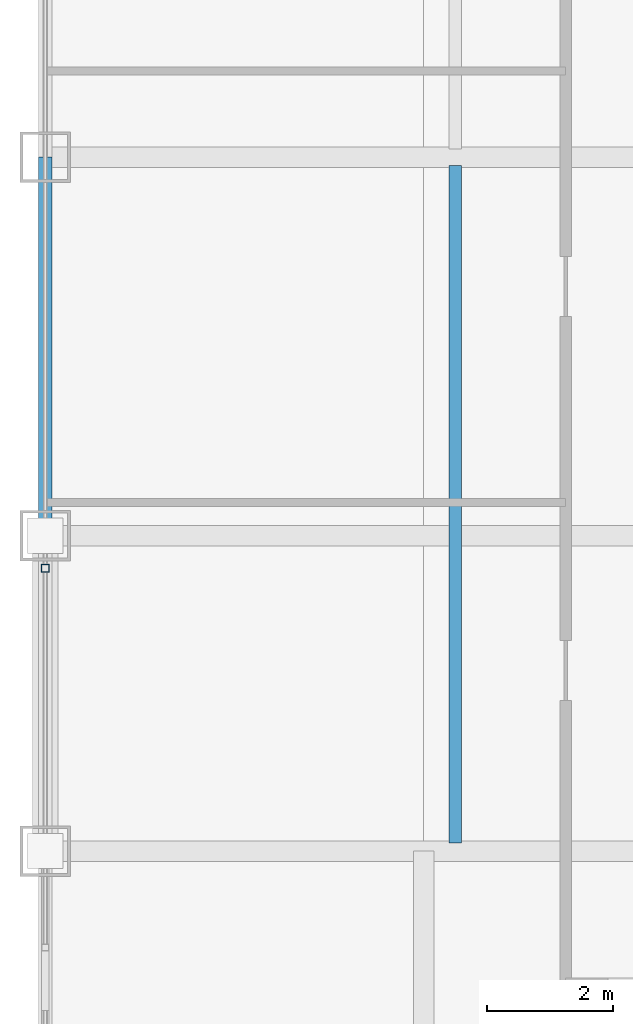
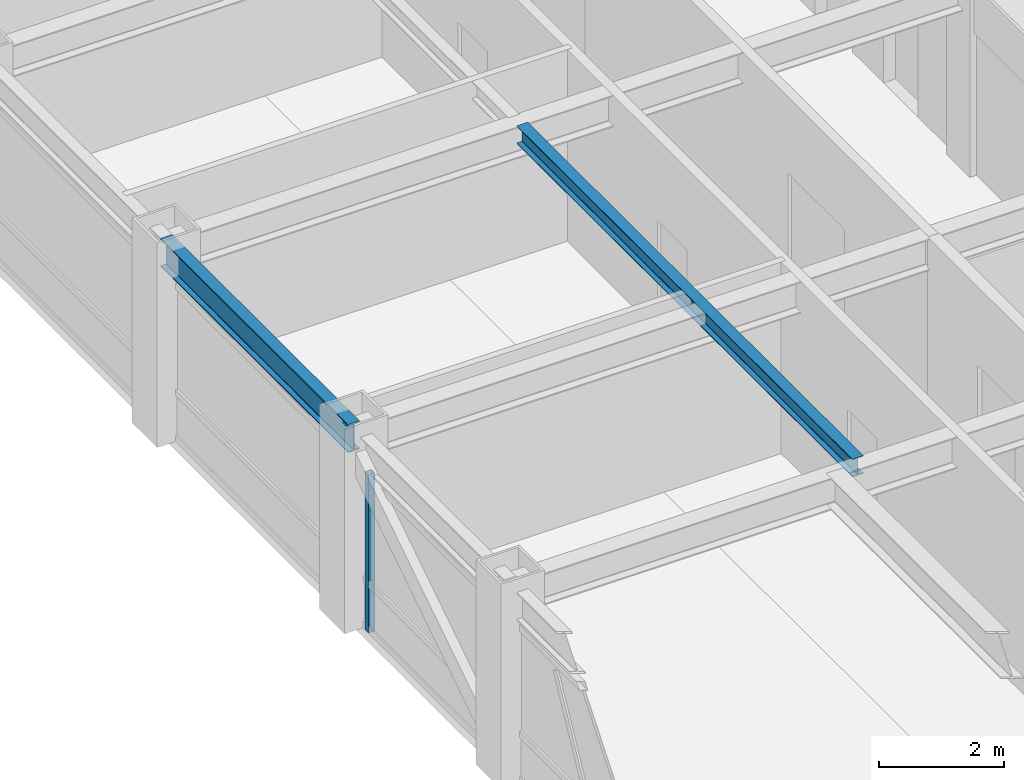
# One storey, part 7 of 29: 2 beams, 1 member, 1 element without a shape of its own.
"""IFC4 building model written with IfcOpenShell, lengths in metres."""

import ifcopenshell
import ifcopenshell.guid

model = None  # the IFC model being written
_history = None  # IfcOwnerHistory: only IFC2X3 demands one
_inside = {}  # id of a spatial element -> (the spatial element, [elements in it])
_under = {}  # id of a project, library or spatial element -> (it, [spatial elements below it])
_declared = {}  # id of a project -> (the project, [libraries it declares])
_typed = {}  # id of a type object -> (the type object, [elements of that type])
_made_of = {}  # id of a material, layer set ... -> (it, [elements and type objects made of it])


def new_model(schema):
    """Start an empty IFC model of exactly this schema.

    Asked for "IFC4X3", IfcOpenShell would pick the latest addendum, in which some entities
    have other attributes; the version numbers below select the first issue.
    IFC2X3 requires an IfcOwnerHistory on every rooted entity: one is made here for all.
    """
    global model, _history
    if schema == "IFC4X3":
        model = ifcopenshell.file(schema_version=(4, 3, 0, 0))
    else:
        model = ifcopenshell.file(schema=schema)
    _inside.clear()
    _under.clear()
    _declared.clear()
    _typed.clear()
    _made_of.clear()
    _history = None
    if model.schema == "IFC2X3":
        org = make("IfcOrganization", Name="unknown")
        user = make(
            "IfcPersonAndOrganization",
            ThePerson=make("IfcPerson", FamilyName="unknown"),
            TheOrganization=org,
        )
        app = make(
            "IfcApplication",
            ApplicationDeveloper=org,
            Version="unknown",
            ApplicationFullName="unknown",
            ApplicationIdentifier="unknown",
        )
        _history = make(
            "IfcOwnerHistory",
            OwningUser=user,
            OwningApplication=app,
            ChangeAction="ADDED",
            CreationDate=0,
        )
    return model


def make(cls, **values):
    """One entity of the class cls with the attributes given. An attribute that is None is left unset."""
    return model.create_entity(
        cls, **{name: value for name, value in values.items() if value is not None}
    )


def rooted(cls, **values):
    """An entity with a GlobalId (a new one), such as an element, a storey or a relation."""
    return make(cls, GlobalId=ifcopenshell.guid.new(), OwnerHistory=_history, **values)


def si_unit(unit_type, name, prefix=None):
    """IfcSIUnit, for example si_unit("LENGTHUNIT", "METRE", prefix="MILLI")."""
    return make("IfcSIUnit", UnitType=unit_type, Prefix=prefix, Name=name)


def assignment(units):
    """IfcUnitAssignment: the units of a project."""
    return None if units is None else make("IfcUnitAssignment", Units=units)


def point(xyz):
    """IfcCartesianPoint."""
    return None if xyz is None else make("IfcCartesianPoint", Coordinates=xyz)


def direction(xyz):
    """IfcDirection."""
    return None if xyz is None else make("IfcDirection", DirectionRatios=xyz)


def frame(location, z_axis=None, x_axis=None):
    """IfcAxis2Placement3D, a coordinate frame: its origin and axes. An axis left out is left unset."""
    return make(
        "IfcAxis2Placement3D",
        Location=point(location),
        Axis=direction(z_axis),
        RefDirection=direction(x_axis),
    )


def frame_2d(location, x_axis=None):
    """IfcAxis2Placement2D, a coordinate frame in the plane: its origin and x axis."""
    return make(
        "IfcAxis2Placement2D", Location=point(location), RefDirection=direction(x_axis)
    )


def origin():
    """The frame at (0, 0, 0) with its axes left unset."""
    return frame((0.0, 0.0, 0.0))


def origin_2d():
    """The frame at (0, 0) in the plane with its x axis left unset."""
    return frame_2d((0.0, 0.0))


def place(relative_to, where):
    """IfcLocalPlacement: puts the frame where relative to a parent placement (None: the world)."""
    return make(
        "IfcLocalPlacement", PlacementRelTo=relative_to, RelativePlacement=where
    )


def context(
    kind, dimensions, precision=None, world=None, true_north=None, identifier=None
):
    """IfcGeometricRepresentationContext, for example the 3D "Model" context."""
    return make(
        "IfcGeometricRepresentationContext",
        ContextIdentifier=identifier,
        ContextType=kind,
        CoordinateSpaceDimension=dimensions,
        Precision=precision,
        WorldCoordinateSystem=world,
        TrueNorth=true_north,
    )


def subcontext(parent, identifier, kind, view, scale=None):
    """IfcGeometricRepresentationSubContext, for example "Body" below "Model"."""
    return make(
        "IfcGeometricRepresentationSubContext",
        ContextIdentifier=identifier,
        ContextType=kind,
        ParentContext=parent,
        TargetScale=scale,
        TargetView=view,
    )


def project(units=None, contexts=None):
    """IfcProject with its units and contexts."""
    return rooted(
        "IfcProject",
        Name="project",
        RepresentationContexts=contexts,
        UnitsInContext=assignment(units),
    )


def spatial(cls, under=None, at=None, **own):
    """A site, building, storey or space (cls), placed at a placement, below another one or the project."""
    s = rooted(cls, ObjectPlacement=at, **own)
    if under is not None:
        _under.setdefault(under.id(), (under, []))[1].append(s)
    return s


def profile(cls, at=None, kind="AREA", **sizes):
    """A parametric profile (cls). Its sizes go by their IFC names, for example OverallWidth=200.0."""
    return make(cls, ProfileType=kind, Position=at, **sizes)


def hollow_rectangle(**sizes):
    """IfcRectangleHollowProfileDef."""
    return profile("IfcRectangleHollowProfileDef", **sizes)


def i_section(**sizes):
    """IfcIShapeProfileDef."""
    return profile("IfcIShapeProfileDef", **sizes)


def extrude(swept, where, along, depth):
    """IfcExtrudedAreaSolid: the profile swept, set in the frame where, extruded along a direction by depth."""
    return make(
        "IfcExtrudedAreaSolid",
        SweptArea=swept,
        Position=where,
        ExtrudedDirection=direction(along),
        Depth=depth,
    )


def shape(context_of_items, identifier, shape_type, items):
    """IfcShapeRepresentation: the items that make up one representation, for example the "Body"."""
    return make(
        "IfcShapeRepresentation",
        ContextOfItems=context_of_items,
        RepresentationIdentifier=identifier,
        RepresentationType=shape_type,
        Items=items,
    )


def source(mapping_origin, context_of_items, identifier, shape_type, items):
    """IfcRepresentationMap: a shape defined once, which mapped items show again and again."""
    return make(
        "IfcRepresentationMap",
        MappingOrigin=mapping_origin,
        MappedRepresentation=shape(context_of_items, identifier, shape_type, items),
    )


def transform(
    local_origin,
    x_axis=None,
    y_axis=None,
    z_axis=None,
    scale=None,
    scale2=None,
    scale3=None,
    uniform=True,
):
    """IfcCartesianTransformationOperator3D, or its non-uniform kind. x_axis, y_axis, z_axis: its Axis1, 2, 3."""
    if uniform:
        return make(
            "IfcCartesianTransformationOperator3D",
            Axis1=direction(x_axis),
            Axis2=direction(y_axis),
            LocalOrigin=point(local_origin),
            Scale=scale,
            Axis3=direction(z_axis),
        )
    return make(
        "IfcCartesianTransformationOperator3DnonUniform",
        Axis1=direction(x_axis),
        Axis2=direction(y_axis),
        LocalOrigin=point(local_origin),
        Scale=scale,
        Axis3=direction(z_axis),
        Scale2=scale2,
        Scale3=scale3,
    )


def mapped(mapping_source, mapping_target):
    """IfcMappedItem: shows the shape of a source again, moved by a transform."""
    return make(
        "IfcMappedItem", MappingSource=mapping_source, MappingTarget=mapping_target
    )


def material(Name=None, Category=None):
    """IfcMaterial."""
    return make("IfcMaterial", Name=Name, Category=Category)


def material_profile(
    of_material, cross_section, Name=None, Category=None, Priority=None
):
    """IfcMaterialProfile: a cross section and its material."""
    return make(
        "IfcMaterialProfile",
        Name=Name,
        Material=of_material,
        Profile=cross_section,
        Priority=Priority,
        Category=Category,
    )


def profile_set(profiles, Name=None, composite=None):
    """IfcMaterialProfileSet."""
    return make(
        "IfcMaterialProfileSet",
        Name=Name,
        MaterialProfiles=profiles,
        CompositeProfile=composite,
    )


def made_of(thing, what):
    """Note that an element or type object is made of a material, layer set ...; save() writes the relation."""
    if what is not None:
        _made_of.setdefault(what.id(), (what, []))[1].append(thing)
    return thing


def type_object(cls, material=None, **own):
    """A type object (cls), such as IfcWallType, which elements share."""
    return made_of(rooted(cls, **own), material)


def element(
    cls,
    number,
    at=None,
    inside=None,
    cuts=None,
    type_object=None,
    material=None,
    context=None,
    identifier="Body",
    shape_type=None,
    held_by="IfcProductDefinitionShape",
    body=None,
    shapes=None,
    **own,
):
    """One element of the class cls, such as IfcWall. Its Tag is "e" and its number.

    at: its placement. inside: the storey or other place that contains it. cuts: it is an
    opening in that element (IfcRelVoidsElement). A single representation is given by context,
    identifier, shape_type and body (its items); several are given by shapes. held_by: the class
    of the entity that holds the representations. save() writes the other relations.
    """
    e = rooted(cls, Tag="e%d" % number, ObjectPlacement=at, **own)
    if body is not None:
        shapes = [shape(context, identifier, shape_type, body)]
    if shapes is not None:
        e.Representation = make(held_by, Representations=shapes)
    if inside is not None:
        _inside.setdefault(inside.id(), (inside, []))[1].append(e)
    if cuts is not None:
        rooted(
            "IfcRelVoidsElement", RelatingBuildingElement=cuts, RelatedOpeningElement=e
        )
    if type_object is not None:
        _typed.setdefault(type_object.id(), (type_object, []))[1].append(e)
    return made_of(e, material)


def aggregate(whole, parts):
    """IfcRelAggregates: a whole, such as a stair, and the parts it consists of."""
    return rooted("IfcRelAggregates", RelatingObject=whole, RelatedObjects=parts)


def save(model, path):
    """Write the relations noted so far, then the file.

    IfcRelAggregates (storeys below a building ...), IfcRelContainedInSpatialStructure (elements
    in a storey), IfcRelDefinesByType, IfcRelAssociatesMaterial and IfcRelDeclares: one each for
    every whole, place, type object, material and project.
    """
    for whole, parts in _under.values():
        aggregate(whole, parts)
    for where, things in _inside.values():
        rooted(
            "IfcRelContainedInSpatialStructure",
            RelatedElements=things,
            RelatingStructure=where,
        )
    for kind, things in _typed.values():
        rooted("IfcRelDefinesByType", RelatedObjects=things, RelatingType=kind)
    for what, things in _made_of.values():
        rooted("IfcRelAssociatesMaterial", RelatedObjects=things, RelatingMaterial=what)
    for by, libraries in _declared.values():
        rooted("IfcRelDeclares", RelatingContext=by, RelatedDefinitions=libraries)
    model.write(path)


model = new_model("IFC4")

# Units and contexts
model_context = context("Model", 3, precision=1e-05, world=origin(), true_north=direction((0.0, 1.0)))
body_context = subcontext(model_context, "Body", "Model", "MODEL_VIEW")
ifc_project = project(units=[si_unit("LENGTHUNIT", "METRE"), si_unit("AREAUNIT", "SQUARE_METRE"), si_unit("VOLUMEUNIT", "CUBIC_METRE"), si_unit("PLANEANGLEUNIT", "RADIAN"), si_unit("MASSUNIT", "GRAM", prefix="KILO")], contexts=[model_context])

# Site, building, storey
site_placement = place(None, origin())
site = spatial("IfcSite", under=ifc_project, at=site_placement, CompositionType="ELEMENT")
building_placement = place(site_placement, origin())
building = spatial("IfcBuilding", under=site, at=building_placement, Name="Khorayat Bourse Tower", CompositionType="ELEMENT")
storey_placement = place(building_placement, frame((0.0, 0.0, 354.300048828125)))
storey = spatial("IfcBuildingStorey", under=building, at=storey_placement, Name="L84", CompositionType="ELEMENT", Elevation=354.300048828125)

# Beams
ifc_material_1 = material(Name="Steel ASTM A992 Grade 50", Category="steel")
ifc_material_profile_1 = material_profile(ifc_material_1, i_section(OverallWidth=0.202880859375, OverallDepth=0.346923828125, WebThickness=0.0078125, FlangeThickness=0.013427734375, FilletRadius=0.010009765625, at=origin_2d()), Name="W360X64")
ifc_profile_set_1 = profile_set([ifc_material_profile_1], Name="Steel ASTM A992 Grade 50")
beam_type_1 = type_object("IfcBeamType", Name="BM-JOIST-360", PredefinedType="JOIST", material=ifc_profile_set_1)
shared_shape_1 = source(origin(), body_context, "Body", "SweptSolid", [
    extrude(i_section(OverallWidth=0.202880859375, OverallDepth=0.346923828125, WebThickness=0.0078125, FlangeThickness=0.013427734375, FilletRadius=0.010009765625, at=origin_2d()), origin(), (0.0, 0.0, 1.0), 10.740234375),
])
beam_1_placement = place(storey_placement, frame((-19.5, -10.8701171875, 3.56640625), z_axis=(0.0, 1.0, 0.0), x_axis=(-1.0, 0.0, 0.0)))
element("IfcBeam", 1, at=beam_1_placement, inside=storey, type_object=beam_type_1, Name="L84 BM-JOIST-360 BM-L84-JSTY-086", PredefinedType="JOIST", context=body_context, shape_type="MappedRepresentation", body=[
    mapped(shared_shape_1, transform((0.0, 0.0, 0.0), scale=1.0)),
])
ifc_material_profile_2 = material_profile(ifc_material_1, i_section(OverallWidth=0.214111328125, OverallDepth=0.549072265625, WebThickness=0.0146484375, FlangeThickness=0.023681640625, FilletRadius=0.013916015625, at=origin_2d()), Name="W530X138")
ifc_profile_set_2 = profile_set([ifc_material_profile_2], Name="Steel ASTM A992 Grade 50")
beam_type_2 = type_object("IfcBeamType", Name="BM-SPAN-530", PredefinedType="SPANDREL", material=ifc_profile_set_2)
shared_shape_2 = source(origin(), body_context, "Body", "SweptSolid", [
    extrude(i_section(OverallWidth=0.214111328125, OverallDepth=0.549072265625, WebThickness=0.0146484375, FlangeThickness=0.023681640625, FilletRadius=0.013916015625, at=origin_2d()), origin(), (0.0, 0.0, 1.0), 6.0),
])
beam_2_placement = place(storey_placement, frame((-26.0, -6.0, 3.46533203125), z_axis=(0.0, 1.0, 0.0), x_axis=(-1.0, 0.0, 0.0)))
element("IfcBeam", 2, at=beam_2_placement, inside=storey, type_object=beam_type_2, Name="L84 BM-SPAN-530 BM-L84-SPN-051", PredefinedType="SPANDREL", context=body_context, shape_type="MappedRepresentation", body=[
    mapped(shared_shape_2, transform((0.0, 0.0, 0.0), scale=1.0)),
])

# Curtain wall, member
ifc_material_2 = material(Name="Aluminium EN AW-6063 T6", Category="aluminium")
curtain_wall_type = type_object("IfcCurtainWallType", Name="CW-SYS-06", PredefinedType="NOTDEFINED", material=ifc_material_2)
curtain_wall_placement = place(storey_placement, origin())
curtain_wall = element("IfcCurtainWall", 3, at=curtain_wall_placement, inside=storey, type_object=curtain_wall_type, Name="L84 Curtain Wall CW-L84-W1", PredefinedType="NOTDEFINED")
ifc_material_profile_3 = material_profile(ifc_material_2, hollow_rectangle(XDim=0.1201171875, YDim=0.1201171875, WallThickness=0.0048828125, at=origin_2d()), Name="ALU 120x120x5")
ifc_profile_set_3 = profile_set([ifc_material_profile_3], Name="Aluminium EN AW-6063 T6")
member_type = type_object("IfcMemberType", Name="CWM-VERT-120", PredefinedType="MULLION", material=ifc_profile_set_3)
shared_shape_3 = source(origin(), body_context, "Body", "SweptSolid", [
    extrude(hollow_rectangle(XDim=0.1201171875, YDim=0.1201171875, WallThickness=0.0048828125, at=origin_2d()), origin(), (0.0, 0.0, 1.0), 3.08984375),
])
member_placement = place(storey_placement, frame((-26.0, -6.5166015625, 0.0), z_axis=(0.0, 0.0, 1.0), x_axis=(1.0, 0.0, 0.0)))
member = element("IfcMember", 4, at=member_placement, type_object=member_type, Name="CW-L84-W1 Vertical Mullion 3", PredefinedType="MULLION", context=body_context, shape_type="MappedRepresentation", body=[
    mapped(shared_shape_3, transform((0.0, 0.0, 0.0), scale=1.0)),
])
aggregate(curtain_wall, [member])

save(model, "model.ifc")
